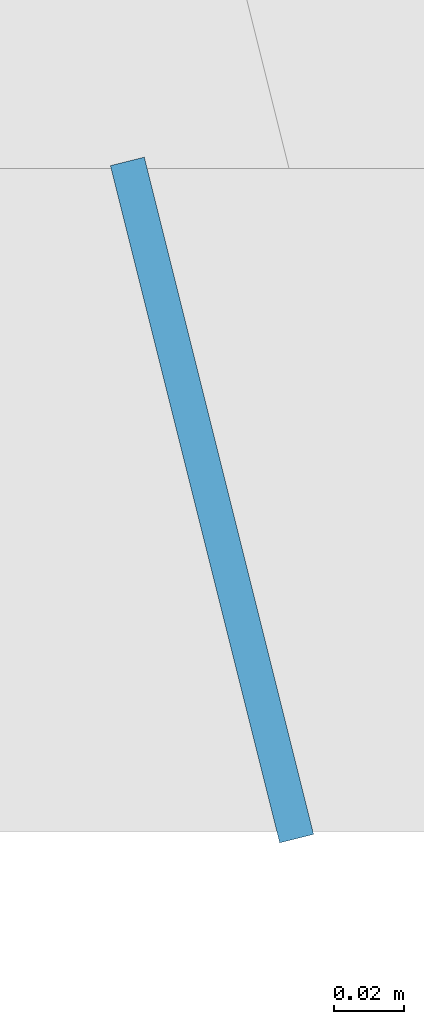
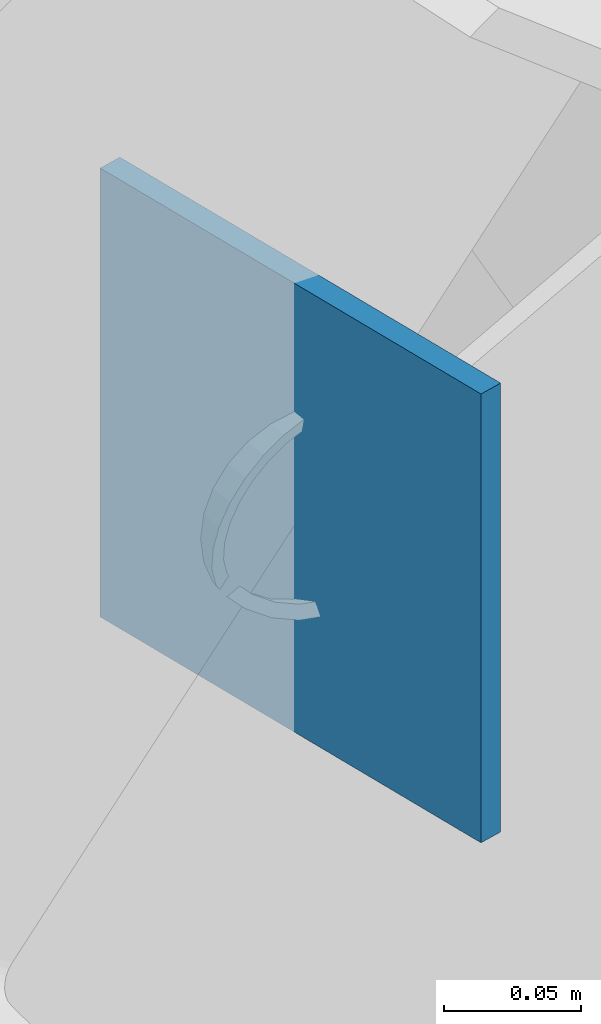
# One storey, part 54 of 62: 1 discrete accessory.
"""IFC4 building model written with IfcOpenShell, lengths in metres."""

from ifc_helpers import new_model, si_unit, direction, frame, origin, origin_2d, place, context, subcontext, project, spatial, rectangle, extrude, material, type_object, element, save


model = new_model("IFC4")

# Units and contexts
model_context = context("Model", 3, precision=1e-05, world=origin(), true_north=direction((0.0, 1.0)))
body_context = subcontext(model_context, "Body", "Model", "MODEL_VIEW")
ifc_project = project(units=[si_unit("LENGTHUNIT", "METRE"), si_unit("AREAUNIT", "SQUARE_METRE"), si_unit("VOLUMEUNIT", "CUBIC_METRE"), si_unit("PLANEANGLEUNIT", "RADIAN"), si_unit("MASSUNIT", "GRAM", prefix="KILO")], contexts=[model_context])

# Site, building, storey
site_placement = place(None, origin())
site = spatial("IfcSite", under=ifc_project, at=site_placement, CompositionType="ELEMENT")
building_placement = place(site_placement, origin())
building = spatial("IfcBuilding", under=site, at=building_placement, Name="Hortulan Conservatory and Botanical Research Centre", CompositionType="ELEMENT")
storey_placement = place(building_placement, frame((0.0, 0.0, 15.0)))
storey = spatial("IfcBuildingStorey", under=building, at=storey_placement, Name="L03", CompositionType="ELEMENT", Elevation=15.0)

# Discrete accessory
ifc_material = material(Name="Steel Grade 300 plate (AS/NZS 3678, 280 MPa minimum yield)", Category="steel")
discrete_accessory_type = type_object("IfcDiscreteAccessoryType", Name="End Plate 200x10", PredefinedType="BRACKET", material=ifc_material)
discrete_accessory_placement = place(storey_placement, frame((105.75, 63.0, 2.9912109375), z_axis=(0.0, 0.0, 1.0), x_axis=(0.242531502591, -0.970143530747, 0.0)))
element("IfcDiscreteAccessory", 1, at=discrete_accessory_placement, inside=storey, type_object=discrete_accessory_type, Name="Brace end plate", PredefinedType="BRACKET", context=body_context, shape_type="SweptSolid", body=[
    extrude(rectangle(XDim=0.199951171875, YDim=0.010009765625, at=origin_2d()), origin(), (0.0, 0.0, 1.0), 0.199951171875),
])

save(model, "model.ifc")
